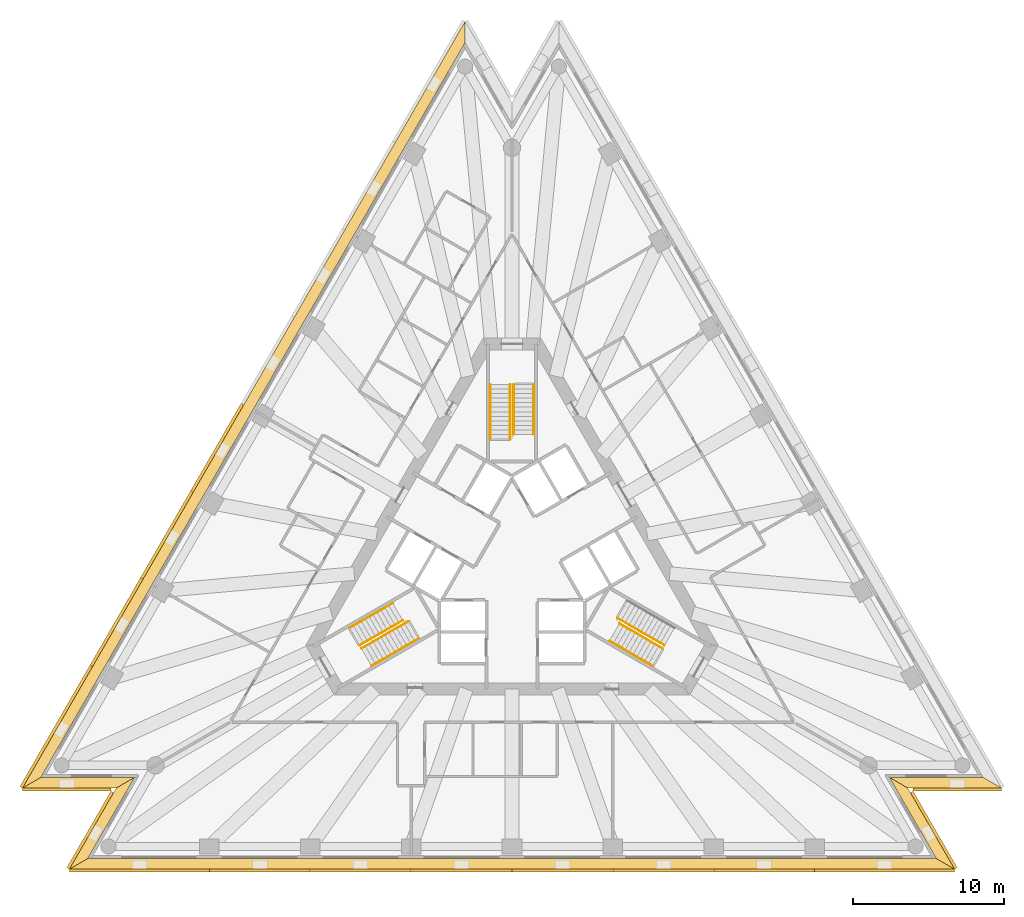
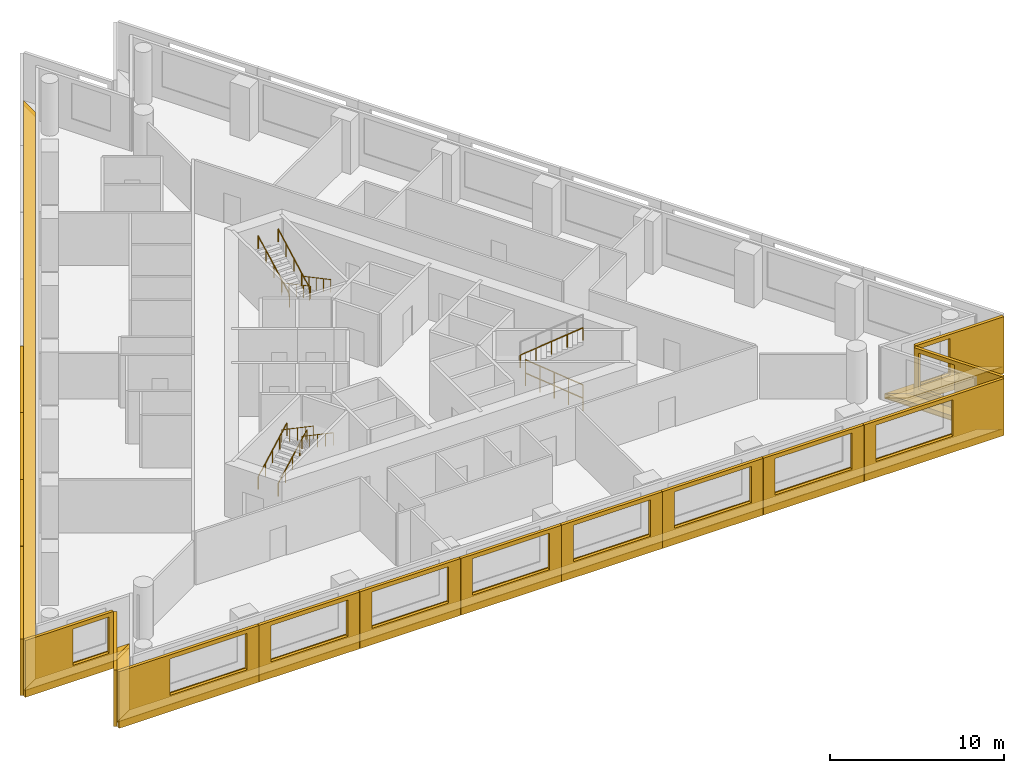
# One storey, part 8 of 9: 22 shading devices, 11 railings, 6 coverings, 3 elements without a shape of their own.
"""IFC4 building model written with IfcOpenShell, lengths in metres."""

from ifc_helpers import new_model, si_unit, direction, frame, origin, origin_2d, place, context, subcontext, project, spatial, polyline, circle, outline, extrude, material, layer, layer_set, layer_usage, type_object, element, aggregate, save


model = new_model("IFC4")

# Units and contexts
model_context = context("Model", 3, precision=1e-05, world=origin(), true_north=direction((0.0, 1.0)))
body_context = subcontext(model_context, "Body", "Model", "MODEL_VIEW")
ifc_project = project(units=[si_unit("LENGTHUNIT", "METRE"), si_unit("AREAUNIT", "SQUARE_METRE"), si_unit("VOLUMEUNIT", "CUBIC_METRE"), si_unit("PLANEANGLEUNIT", "RADIAN"), si_unit("MASSUNIT", "GRAM", prefix="KILO")], contexts=[model_context])

# Site, building, storey
site_placement = place(None, origin())
site = spatial("IfcSite", under=ifc_project, at=site_placement, CompositionType="ELEMENT")
building_placement = place(site_placement, origin())
building = spatial("IfcBuilding", under=site, at=building_placement, Name="Triada Interchange Tower", CompositionType="ELEMENT")
storey_placement = place(building_placement, frame((0.0, 0.0, 140.300048828125)))
storey = spatial("IfcBuildingStorey", under=building, at=storey_placement, Name="L32", CompositionType="ELEMENT", Elevation=140.300048828125)

# Coverings
ifc_material_1 = material(Name="Mineral fire-stop board")
ifc_layer_1 = layer(ifc_material_1, 0.0400390625, Name="Mineral fire-stop board")
ifc_material_2 = material(Name="Intumescent sealant")
ifc_layer_2 = layer(ifc_material_2, 0.010009765625, Name="Intumescent seal")
ifc_layer_set_1 = layer_set([ifc_layer_1, ifc_layer_2], Name="Cavity fire stop")
ifc_layer_usage = layer_usage(ifc_layer_set_1, "AXIS3", "POSITIVE", 0.0)
covering_type = type_object("IfcCoveringType", Name="Cavity fire stop", PredefinedType="INSULATION", material=ifc_layer_set_1)
covering_1_placement = place(storey_placement, origin())
element("IfcCovering", 1, at=covering_1_placement, inside=storey, type_object=covering_type, material=ifc_layer_usage, Name="Cavity fire stop L32 NW", PredefinedType="INSULATION", context=body_context, shape_type="SweptSolid", body=[
    extrude(outline(polyline([(-3.10791015625, 34.2939453125), (-3.10791015625, 35.694091796875), (-32.466064453125, -15.155029296875), (-31.25390625, -14.455078125), (-3.10791015625, 34.2939453125)])), origin(), (0.0, 0.0, 1.0), 0.050048828125),
])
covering_2_placement = place(storey_placement, origin())
element("IfcCovering", 2, at=covering_2_placement, inside=storey, type_object=covering_type, material=ifc_layer_usage, Name="Cavity fire stop L32 SW-1", PredefinedType="INSULATION", context=body_context, shape_type="SweptSolid", body=[
    extrude(outline(polyline([(-31.25390625, -14.455078125), (-32.466064453125, -15.155029296875), (-26.25, -15.155029296875), (-25.0380859375, -14.455078125), (-31.25390625, -14.455078125)])), origin(), (0.0, 0.0, 1.0), 0.050048828125),
])
covering_3_placement = place(storey_placement, origin())
element("IfcCovering", 3, at=covering_3_placement, inside=storey, type_object=covering_type, material=ifc_layer_usage, Name="Cavity fire stop L32 SW-2", PredefinedType="INSULATION", context=body_context, shape_type="SweptSolid", body=[
    extrude(outline(polyline([(-25.0380859375, -14.455078125), (-26.25, -15.155029296875), (-29.35791015625, -20.5390625), (-28.14599609375, -19.839111328125), (-25.0380859375, -14.455078125)])), origin(), (0.0, 0.0, 1.0), 0.050048828125),
])
covering_4_placement = place(storey_placement, origin())
element("IfcCovering", 4, at=covering_4_placement, inside=storey, type_object=covering_type, material=ifc_layer_usage, Name="Cavity fire stop L32 S", PredefinedType="INSULATION", context=body_context, shape_type="SweptSolid", body=[
    extrude(outline(polyline([(-28.14599609375, -19.839111328125), (-29.35791015625, -20.5390625), (29.35791015625, -20.5390625), (28.14599609375, -19.839111328125), (-28.14599609375, -19.839111328125)])), origin(), (0.0, 0.0, 1.0), 0.050048828125),
])
covering_5_placement = place(storey_placement, origin())
element("IfcCovering", 5, at=covering_5_placement, inside=storey, type_object=covering_type, material=ifc_layer_usage, Name="Cavity fire stop L32 SE-1", PredefinedType="INSULATION", context=body_context, shape_type="SweptSolid", body=[
    extrude(outline(polyline([(28.14599609375, -19.839111328125), (29.35791015625, -20.5390625), (26.25, -15.155029296875), (25.0380859375, -14.455078125), (28.14599609375, -19.839111328125)])), origin(), (0.0, 0.0, 1.0), 0.050048828125),
])
covering_6_placement = place(storey_placement, origin())
element("IfcCovering", 6, at=covering_6_placement, inside=storey, type_object=covering_type, material=ifc_layer_usage, Name="Cavity fire stop L32 SE-2", PredefinedType="INSULATION", context=body_context, shape_type="SweptSolid", body=[
    extrude(outline(polyline([(25.0380859375, -14.455078125), (26.25, -15.155029296875), (32.466064453125, -15.155029296875), (31.25390625, -14.455078125), (25.0380859375, -14.455078125)])), origin(), (0.0, 0.0, 1.0), 0.050048828125),
])

# Shading devices
ifc_material_3 = material(Name="Aluminium louvre", Category="aluminium")
shading_device_type_1 = type_object("IfcShadingDeviceType", Name="Cavity louvre grille", PredefinedType="JALOUSIE", material=ifc_material_3)
shading_device_1_placement = place(storey_placement, frame((0.0, 0.0, 0.050048828125)))
element("IfcShadingDevice", 7, at=shading_device_1_placement, inside=storey, type_object=shading_device_type_1, Name="Cavity louvre grille L32 NW", PredefinedType="JALOUSIE", context=body_context, shape_type="SweptSolid", body=[
    extrude(outline(polyline([(-3.10791015625, 34.2939453125), (-3.10791015625, 35.694091796875), (-32.466064453125, -15.155029296875), (-31.25390625, -14.455078125), (-3.10791015625, 34.2939453125)])), origin(), (0.0, 0.0, 1.0), 0.2998046875),
])
shading_device_2_placement = place(storey_placement, frame((0.0, 0.0, 0.050048828125)))
element("IfcShadingDevice", 8, at=shading_device_2_placement, inside=storey, type_object=shading_device_type_1, Name="Cavity louvre grille L32 SW-1", PredefinedType="JALOUSIE", context=body_context, shape_type="SweptSolid", body=[
    extrude(outline(polyline([(-31.25390625, -14.455078125), (-32.466064453125, -15.155029296875), (-26.25, -15.155029296875), (-25.0380859375, -14.455078125), (-31.25390625, -14.455078125)])), origin(), (0.0, 0.0, 1.0), 0.2998046875),
])
shading_device_3_placement = place(storey_placement, frame((0.0, 0.0, 0.050048828125)))
element("IfcShadingDevice", 9, at=shading_device_3_placement, inside=storey, type_object=shading_device_type_1, Name="Cavity louvre grille L32 SW-2", PredefinedType="JALOUSIE", context=body_context, shape_type="SweptSolid", body=[
    extrude(outline(polyline([(-25.0380859375, -14.455078125), (-26.25, -15.155029296875), (-29.35791015625, -20.5390625), (-28.14599609375, -19.839111328125), (-25.0380859375, -14.455078125)])), origin(), (0.0, 0.0, 1.0), 0.2998046875),
])
shading_device_4_placement = place(storey_placement, frame((0.0, 0.0, 0.050048828125)))
element("IfcShadingDevice", 10, at=shading_device_4_placement, inside=storey, type_object=shading_device_type_1, Name="Cavity louvre grille L32 S", PredefinedType="JALOUSIE", context=body_context, shape_type="SweptSolid", body=[
    extrude(outline(polyline([(-28.14599609375, -19.839111328125), (-29.35791015625, -20.5390625), (29.35791015625, -20.5390625), (28.14599609375, -19.839111328125), (-28.14599609375, -19.839111328125)])), origin(), (0.0, 0.0, 1.0), 0.2998046875),
])
shading_device_5_placement = place(storey_placement, frame((0.0, 0.0, 0.050048828125)))
element("IfcShadingDevice", 11, at=shading_device_5_placement, inside=storey, type_object=shading_device_type_1, Name="Cavity louvre grille L32 SE-1", PredefinedType="JALOUSIE", context=body_context, shape_type="SweptSolid", body=[
    extrude(outline(polyline([(28.14599609375, -19.839111328125), (29.35791015625, -20.5390625), (26.25, -15.155029296875), (25.0380859375, -14.455078125), (28.14599609375, -19.839111328125)])), origin(), (0.0, 0.0, 1.0), 0.2998046875),
])
shading_device_6_placement = place(storey_placement, frame((0.0, 0.0, 0.050048828125)))
element("IfcShadingDevice", 12, at=shading_device_6_placement, inside=storey, type_object=shading_device_type_1, Name="Cavity louvre grille L32 SE-2", PredefinedType="JALOUSIE", context=body_context, shape_type="SweptSolid", body=[
    extrude(outline(polyline([(25.0380859375, -14.455078125), (26.25, -15.155029296875), (32.466064453125, -15.155029296875), (31.25390625, -14.455078125), (25.0380859375, -14.455078125)])), origin(), (0.0, 0.0, 1.0), 0.2998046875),
])
ifc_material_4 = material(Name="Concrete C50/60 precast", Category="concrete")
ifc_layer_3 = layer(ifc_material_4, 0.02001953125, Name="Exposed aggregate face")
ifc_layer_4 = layer(ifc_material_4, 0.179931640625, Name="Precast concrete screen")
ifc_layer_set_2 = layer_set([ifc_layer_3, ifc_layer_4], Name="Outer skin screen panel 3980")
shading_device_type_2 = type_object("IfcShadingDeviceType", Name="Outer skin screen panel 3980", PredefinedType="SHUTTER", material=ifc_layer_set_2)
shading_device_7_placement = place(storey_placement, frame((-17.7919921875, 10.260986328125, -0.2900390625), z_axis=(0.0, 0.0, 1.0), x_axis=(-0.500028753158, -0.866008802504, 0.0)))
element("IfcShadingDevice", 13, at=shading_device_7_placement, inside=storey, type_object=shading_device_type_2, Name="Outer skin screen panel L32 05", PredefinedType="SHUTTER", context=body_context, shape_type="SweptSolid", body=[
    extrude(outline(polyline([(0.0, 0.0), (6.66943359375, 0.0), (6.66943359375, 3.97998046875), (0.0, 3.97998046875), (0.0, 0.0)]), holes=[polyline([(0.784912109375, 1.139892578125), (0.784912109375, 3.68994140625), (5.884765625, 3.68994140625), (5.884765625, 1.139892578125), (0.784912109375, 1.139892578125)])]), frame((0.0, 0.0, 0.0), z_axis=(0.0, -1.0, 0.0), x_axis=(1.0, 0.0, 0.0)), (0.0, 0.0, 1.0), 0.199951171875),
])
shading_device_8_placement = place(storey_placement, frame((-21.136962890625, 4.467041015625, -0.2900390625), z_axis=(0.0, 0.0, 1.0), x_axis=(-0.500012902398, -0.866017954453, 0.0)))
element("IfcShadingDevice", 14, at=shading_device_8_placement, inside=storey, type_object=shading_device_type_2, Name="Outer skin screen panel L32 06", PredefinedType="SHUTTER", context=body_context, shape_type="SweptSolid", body=[
    extrude(outline(polyline([(0.0, 0.0), (6.669677734375, 0.0), (6.669677734375, 3.97998046875), (0.0, 3.97998046875), (0.0, 0.0)]), holes=[polyline([(0.784912109375, 1.139892578125), (0.784912109375, 3.68994140625), (5.885009765625, 3.68994140625), (5.885009765625, 1.139892578125), (0.784912109375, 1.139892578125)])]), frame((0.0, 0.0, 0.0), z_axis=(0.0, -1.0, 0.0), x_axis=(1.0, 0.0, 0.0)), (0.0, 0.0, 1.0), 0.199951171875),
])
shading_device_9_placement = place(storey_placement, frame((-24.48193359375, -1.325927734375, -0.2900390625), z_axis=(0.0, 0.0, 1.0), x_axis=(-0.499949507731, -0.866054553547, 0.0)))
element("IfcShadingDevice", 15, at=shading_device_9_placement, inside=storey, type_object=shading_device_type_2, Name="Outer skin screen panel L32 07", PredefinedType="SHUTTER", context=body_context, shape_type="SweptSolid", body=[
    extrude(outline(polyline([(0.0, 0.0), (6.670654296875, 0.0), (6.670654296875, 3.97998046875), (0.0, 3.97998046875), (0.0, 0.0)]), holes=[polyline([(0.784912109375, 1.139892578125), (0.784912109375, 3.68994140625), (5.885009765625, 3.68994140625), (5.885009765625, 1.139892578125), (0.784912109375, 1.139892578125)])]), frame((0.0, 0.0, 0.0), z_axis=(0.0, -1.0, 0.0), x_axis=(1.0, 0.0, 0.0)), (0.0, 0.0, 1.0), 0.199951171875),
])
shading_device_10_placement = place(storey_placement, frame((-27.826904296875, -7.1201171875, -0.2900390625), z_axis=(0.0, 0.0, 1.0), x_axis=(-0.500023456952, -0.866011860483, 0.0)))
element("IfcShadingDevice", 16, at=shading_device_10_placement, inside=storey, type_object=shading_device_type_2, Name="Outer skin screen panel L32 08", PredefinedType="SHUTTER", context=body_context, shape_type="SweptSolid", body=[
    extrude(outline(polyline([(0.0, 0.0), (9.267578125, 0.0), (9.267578125, 3.97998046875), (0.0, 3.97998046875), (0.0, 0.0)]), holes=[polyline([(0.784912109375, 1.139892578125), (0.784912109375, 3.68994140625), (5.885009765625, 3.68994140625), (5.885009765625, 1.139892578125), (0.784912109375, 1.139892578125)])]), frame((0.0, 0.0, 0.0), z_axis=(0.0, -1.0, 0.0), x_axis=(1.0, 0.0, 0.0)), (0.0, 0.0, 1.0), 0.199951171875),
])
shading_device_11_placement = place(storey_placement, frame((-32.4560546875, -15.155029296875, -0.2900390625), z_axis=(0.0, 0.0, 1.0), x_axis=(1.0, 0.0, 0.0)))
element("IfcShadingDevice", 17, at=shading_device_11_placement, inside=storey, type_object=shading_device_type_2, Name="Outer skin screen panel L32 09", PredefinedType="SHUTTER", context=body_context, shape_type="SweptSolid", body=[
    extrude(outline(polyline([(0.0, 0.0), (5.84912109375, 0.0), (5.84912109375, 3.97998046875), (0.0, 3.97998046875), (0.0, 0.0)]), holes=[polyline([(3.175048828125, 1.139892578125), (3.175048828125, 3.68994140625), (5.549072265625, 3.68994140625), (5.549072265625, 1.139892578125), (3.175048828125, 1.139892578125)])]), frame((0.0, 0.0, 0.0), z_axis=(0.0, -1.0, 0.0), x_axis=(1.0, 0.0, 0.0)), (0.0, 0.0, 1.0), 0.199951171875),
])
shading_device_12_placement = place(storey_placement, frame((-26.427978515625, -15.464111328125, -0.2900390625), z_axis=(0.0, 0.0, 1.0), x_axis=(-0.500030735058, -0.866007658163, 0.0)))
element("IfcShadingDevice", 18, at=shading_device_12_placement, inside=storey, type_object=shading_device_type_2, Name="Outer skin screen panel L32 10", PredefinedType="SHUTTER", context=body_context, shape_type="SweptSolid", body=[
    extrude(outline(polyline([(0.0, 0.0), (5.849853515625, 0.0), (5.849853515625, 3.97998046875), (0.0, 3.97998046875), (0.0, 0.0)]), holes=[polyline([(0.300048828125, 1.139892578125), (0.300048828125, 3.68994140625), (2.258056640625, 3.68994140625), (2.258056640625, 1.139892578125), (0.300048828125, 1.139892578125)])]), frame((0.0, 0.0, 0.0), z_axis=(0.0, -1.0, 0.0), x_axis=(1.0, 0.0, 0.0)), (0.0, 0.0, 1.0), 0.199951171875),
])
shading_device_13_placement = place(storey_placement, frame((-29.347900390625, -20.5390625, -0.2900390625), z_axis=(0.0, 0.0, 1.0), x_axis=(1.0, 0.0, 0.0)))
element("IfcShadingDevice", 19, at=shading_device_13_placement, inside=storey, type_object=shading_device_type_2, Name="Outer skin screen panel L32 11", PredefinedType="SHUTTER", context=body_context, shape_type="SweptSolid", body=[
    extrude(outline(polyline([(0.0, 0.0), (9.267822265625, 0.0), (9.267822265625, 3.97998046875), (0.0, 3.97998046875), (0.0, 0.0)]), holes=[polyline([(3.383056640625, 1.139892578125), (3.383056640625, 3.68994140625), (8.48291015625, 3.68994140625), (8.48291015625, 1.139892578125), (3.383056640625, 1.139892578125)])]), frame((0.0, 0.0, 0.0), z_axis=(0.0, -1.0, 0.0), x_axis=(1.0, 0.0, 0.0)), (0.0, 0.0, 1.0), 0.199951171875),
])
for number, where, z_axis, x_axis, name in (
    (20, (-20.06005859375, -20.5390625, -0.2900390625), (0.0, 0.0, 1.0), (1.0, 0.0, 0.0), "Outer skin screen panel L32 12"),
    (21, (-13.3701171875, -20.5390625, -0.2900390625), (0.0, 0.0, 1.0), (1.0, 0.0, 0.0), "Outer skin screen panel L32 13"),
):
    element("IfcShadingDevice", number, at=place(storey_placement, frame(where, z_axis=z_axis, x_axis=x_axis)), inside=storey, type_object=shading_device_type_2, Name=name, PredefinedType="SHUTTER", context=body_context, shape_type="SweptSolid", body=[
        extrude(outline(polyline([(0.0, 0.0), (6.670166015625, 0.0), (6.670166015625, 3.97998046875), (0.0, 3.97998046875), (0.0, 0.0)]), holes=[polyline([(0.784912109375, 1.139892578125), (0.784912109375, 3.68994140625), (5.885009765625, 3.68994140625), (5.885009765625, 1.139892578125), (0.784912109375, 1.139892578125)])]), frame((0.0, 0.0, 0.0), z_axis=(0.0, -1.0, 0.0), x_axis=(1.0, 0.0, 0.0)), (0.0, 0.0, 1.0), 0.199951171875),
    ])
for number, where, z_axis, x_axis, name in (
    (22, (-6.679931640625, -20.5390625, -0.2900390625), (0.0, 0.0, 1.0), (1.0, 0.0, 0.0), "Outer skin screen panel L32 14"),
    (23, (0.010009765625, -20.5390625, -0.2900390625), (0.0, 0.0, 1.0), (1.0, 0.0, 0.0), "Outer skin screen panel L32 15"),
):
    element("IfcShadingDevice", number, at=place(storey_placement, frame(where, z_axis=z_axis, x_axis=x_axis)), inside=storey, type_object=shading_device_type_2, Name=name, PredefinedType="SHUTTER", context=body_context, shape_type="SweptSolid", body=[
        extrude(outline(polyline([(0.0, 0.0), (6.669921875, 0.0), (6.669921875, 3.97998046875), (0.0, 3.97998046875), (0.0, 0.0)]), holes=[polyline([(0.784912109375, 1.139892578125), (0.784912109375, 3.68994140625), (5.885009765625, 3.68994140625), (5.885009765625, 1.139892578125), (0.784912109375, 1.139892578125)])]), frame((0.0, 0.0, 0.0), z_axis=(0.0, -1.0, 0.0), x_axis=(1.0, 0.0, 0.0)), (0.0, 0.0, 1.0), 0.199951171875),
    ])
for number, where, z_axis, x_axis, name in (
    (24, (6.699951171875, -20.5390625, -0.2900390625), (0.0, 0.0, 1.0), (1.0, 0.0, 0.0), "Outer skin screen panel L32 16"),
    (25, (13.389892578125, -20.5390625, -0.2900390625), (0.0, 0.0, 1.0), (1.0, 0.0, 0.0), "Outer skin screen panel L32 17"),
):
    element("IfcShadingDevice", number, at=place(storey_placement, frame(where, z_axis=z_axis, x_axis=x_axis)), inside=storey, type_object=shading_device_type_2, Name=name, PredefinedType="SHUTTER", context=body_context, shape_type="SweptSolid", body=[
        extrude(outline(polyline([(0.0, 0.0), (6.670166015625, 0.0), (6.670166015625, 3.97998046875), (0.0, 3.97998046875), (0.0, 0.0)]), holes=[polyline([(0.784912109375, 1.139892578125), (0.784912109375, 3.68994140625), (5.885009765625, 3.68994140625), (5.885009765625, 1.139892578125), (0.784912109375, 1.139892578125)])]), frame((0.0, 0.0, 0.0), z_axis=(0.0, -1.0, 0.0), x_axis=(1.0, 0.0, 0.0)), (0.0, 0.0, 1.0), 0.199951171875),
    ])
shading_device_14_placement = place(storey_placement, frame((20.080078125, -20.5390625, -0.2900390625), z_axis=(0.0, 0.0, 1.0), x_axis=(1.0, 0.0, 0.0)))
element("IfcShadingDevice", 26, at=shading_device_14_placement, inside=storey, type_object=shading_device_type_2, Name="Outer skin screen panel L32 18", PredefinedType="SHUTTER", context=body_context, shape_type="SweptSolid", body=[
    extrude(outline(polyline([(0.0, 0.0), (9.267822265625, 0.0), (9.267822265625, 3.97998046875), (0.0, 3.97998046875), (0.0, 0.0)]), holes=[polyline([(0.784912109375, 1.139892578125), (0.784912109375, 3.68994140625), (5.885009765625, 3.68994140625), (5.885009765625, 1.139892578125), (0.784912109375, 1.139892578125)])]), frame((0.0, 0.0, 0.0), z_axis=(0.0, -1.0, 0.0), x_axis=(1.0, 0.0, 0.0)), (0.0, 0.0, 1.0), 0.199951171875),
])
shading_device_15_placement = place(storey_placement, frame((29.35302734375, -20.530029296875, -0.2900390625), z_axis=(0.0, 0.0, 1.0), x_axis=(-0.500030735058, 0.866007658163, 0.0)))
element("IfcShadingDevice", 27, at=shading_device_15_placement, inside=storey, type_object=shading_device_type_2, Name="Outer skin screen panel L32 19", PredefinedType="SHUTTER", context=body_context, shape_type="SweptSolid", body=[
    extrude(outline(polyline([(0.0, 0.0), (5.849853515625, 0.0), (5.849853515625, 3.97998046875), (0.0, 3.97998046875), (0.0, 0.0)]), holes=[polyline([(3.17529296875, 1.139892578125), (3.17529296875, 3.68994140625), (5.550048828125, 3.68994140625), (5.550048828125, 1.139892578125), (3.17529296875, 1.139892578125)])]), frame((0.0, 0.0, 0.0), z_axis=(0.0, -1.0, 0.0), x_axis=(1.0, 0.0, 0.0)), (0.0, 0.0, 1.0), 0.199951171875),
])
shading_device_16_placement = place(storey_placement, frame((26.60693359375, -15.155029296875, -0.2900390625), z_axis=(0.0, 0.0, 1.0), x_axis=(1.0, 0.0, 0.0)))
element("IfcShadingDevice", 28, at=shading_device_16_placement, inside=storey, type_object=shading_device_type_2, Name="Outer skin screen panel L32 20", PredefinedType="SHUTTER", context=body_context, shape_type="SweptSolid", body=[
    extrude(outline(polyline([(0.0, 0.0), (5.84912109375, 0.0), (5.84912109375, 3.97998046875), (0.0, 3.97998046875), (0.0, 0.0)]), holes=[polyline([(0.300048828125, 1.139892578125), (0.300048828125, 3.68994140625), (2.258056640625, 3.68994140625), (2.258056640625, 1.139892578125), (0.300048828125, 1.139892578125)])]), frame((0.0, 0.0, 0.0), z_axis=(0.0, -1.0, 0.0), x_axis=(1.0, 0.0, 0.0)), (0.0, 0.0, 1.0), 0.199951171875),
])

# Stair, railings
ifc_material_5 = material(Name="Concrete C35/45", Category="concrete")
stair_type = type_object("IfcStairType", Name="HALF TURN STAIR 1400", PredefinedType="HALF_TURN_STAIR", material=ifc_material_5)
stair_1_placement = place(storey_placement, origin())
stair_1 = element("IfcStair", 29, at=stair_1_placement, inside=storey, type_object=stair_type, Name="Exit stair S32-1", PredefinedType="HALF_TURN_STAIR")
ifc_material_6 = material(Name="Stainless steel 1.4301", Category="steel")
railing_type = type_object("IfcRailingType", Name="STAIR HANDRAIL 900", PredefinedType="HANDRAIL", material=ifc_material_6)
railing_1_placement = place(storey_placement, frame((1.449951171875, 11.60009765625, 0.159912109375)))
railing_1 = element("IfcRailing", 30, at=railing_1_placement, type_object=railing_type, Name="Handrail S32-1 1W", PredefinedType="HANDRAIL", context=body_context, shape_type="SweptSolid", body=[
    extrude(circle(Radius=0.02392578125, at=origin_2d()), frame((0.0, 0.0, 0.8759765625), z_axis=(0.0, -0.882354748157, 0.47058484719), x_axis=(1.0, 0.0, 0.0)), (0.0, 0.0, 1.0), 3.739990234375),
    extrude(circle(Radius=0.02099609375, at=origin_2d()), origin(), (0.0, 0.0, 1.0), 0.851806640625),
    extrude(circle(Radius=0.02099609375, at=origin_2d()), frame((0.0, -0.824951171875, 0.43994140625)), (0.0, 0.0, 1.0), 0.851806640625),
    extrude(circle(Radius=0.02099609375, at=origin_2d()), frame((0.0, -1.64990234375, 0.8798828125)), (0.0, 0.0, 1.0), 0.851806640625),
    extrude(circle(Radius=0.02099609375, at=origin_2d()), frame((0.0, -2.47509765625, 1.320068359375)), (0.0, 0.0, 1.0), 0.851806640625),
    extrude(circle(Radius=0.02099609375, at=origin_2d()), frame((0.0, -3.300048828125, 1.760009765625)), (0.0, 0.0, 1.0), 0.851806640625),
])
railing_2_placement = place(storey_placement, frame((0.1201171875, 11.60009765625, 0.159912109375)))
railing_2 = element("IfcRailing", 31, at=railing_2_placement, type_object=railing_type, Name="Handrail S32-1 1C", PredefinedType="HANDRAIL", context=body_context, shape_type="SweptSolid", body=[
    extrude(circle(Radius=0.02392578125, at=origin_2d()), frame((0.0, 0.0, 0.8759765625), z_axis=(0.0, -0.882354748157, 0.47058484719), x_axis=(1.0, 0.0, 0.0)), (0.0, 0.0, 1.0), 3.739990234375),
    extrude(circle(Radius=0.02099609375, at=origin_2d()), origin(), (0.0, 0.0, 1.0), 0.851806640625),
    extrude(circle(Radius=0.02099609375, at=origin_2d()), frame((0.0, -0.824951171875, 0.43994140625)), (0.0, 0.0, 1.0), 0.851806640625),
    extrude(circle(Radius=0.02099609375, at=origin_2d()), frame((0.0, -1.64990234375, 0.8798828125)), (0.0, 0.0, 1.0), 0.851806640625),
    extrude(circle(Radius=0.02099609375, at=origin_2d()), frame((0.0, -2.47509765625, 1.320068359375)), (0.0, 0.0, 1.0), 0.851806640625),
    extrude(circle(Radius=0.02099609375, at=origin_2d()), frame((0.0, -3.300048828125, 1.760009765625)), (0.0, 0.0, 1.0), 0.851806640625),
])
railing_3_placement = place(storey_placement, frame((-1.449951171875, 8.0, 2.079833984375)))
railing_3 = element("IfcRailing", 32, at=railing_3_placement, type_object=railing_type, Name="Handrail S32-1 2W", PredefinedType="HANDRAIL", context=body_context, shape_type="SweptSolid", body=[
    extrude(circle(Radius=0.02392578125, at=origin_2d()), frame((0.0, 0.0, 0.8759765625), z_axis=(0.0, 0.882341346394, 0.470609974867), x_axis=(-1.0, 0.0, 0.0)), (0.0, 0.0, 1.0), 4.080078125),
    extrude(circle(Radius=0.02099609375, at=origin_2d()), origin(), (0.0, 0.0, 1.0), 0.851806640625),
    extrude(circle(Radius=0.02099609375, at=origin_2d()), frame((0.0, 0.89990234375, 0.47998046875)), (0.0, 0.0, 1.0), 0.851806640625),
    extrude(circle(Radius=0.02099609375, at=origin_2d()), frame((0.0, 1.800048828125, 0.9599609375)), (0.0, 0.0, 1.0), 0.851806640625),
    extrude(circle(Radius=0.02099609375, at=origin_2d()), frame((0.0, 2.7001953125, 1.440185546875)), (0.0, 0.0, 1.0), 0.851806640625),
    extrude(circle(Radius=0.02099609375, at=origin_2d()), frame((0.0, 3.60009765625, 1.920166015625)), (0.0, 0.0, 1.0), 0.851806640625),
])
railing_4_placement = place(storey_placement, frame((-0.1201171875, 8.0, 2.079833984375)))
railing_4 = element("IfcRailing", 33, at=railing_4_placement, type_object=railing_type, Name="Handrail S32-1 2C", PredefinedType="HANDRAIL", context=body_context, shape_type="SweptSolid", body=[
    extrude(circle(Radius=0.02392578125, at=origin_2d()), frame((0.0, 0.0, 0.8759765625), z_axis=(0.0, 0.882341346394, 0.470609974867), x_axis=(-1.0, 0.0, 0.0)), (0.0, 0.0, 1.0), 4.080078125),
    extrude(circle(Radius=0.02099609375, at=origin_2d()), origin(), (0.0, 0.0, 1.0), 0.851806640625),
    extrude(circle(Radius=0.02099609375, at=origin_2d()), frame((0.0, 0.89990234375, 0.47998046875)), (0.0, 0.0, 1.0), 0.851806640625),
    extrude(circle(Radius=0.02099609375, at=origin_2d()), frame((0.0, 1.800048828125, 0.9599609375)), (0.0, 0.0, 1.0), 0.851806640625),
    extrude(circle(Radius=0.02099609375, at=origin_2d()), frame((0.0, 2.7001953125, 1.440185546875)), (0.0, 0.0, 1.0), 0.851806640625),
    extrude(circle(Radius=0.02099609375, at=origin_2d()), frame((0.0, 3.60009765625, 1.920166015625)), (0.0, 0.0, 1.0), 0.851806640625),
])
aggregate(stair_1, [railing_1, railing_2, railing_3, railing_4])

stair_2_placement = place(storey_placement, origin())
stair_2 = element("IfcStair", 34, at=stair_2_placement, inside=storey, type_object=stair_type, Name="Exit stair S32-2", PredefinedType="HALF_TURN_STAIR")
railing_5_placement = place(storey_placement, frame((-10.77099609375, -4.5439453125, 0.159912109375)))
railing_5 = element("IfcRailing", 35, at=railing_5_placement, type_object=railing_type, Name="Handrail S32-2 1W", PredefinedType="HANDRAIL", context=body_context, shape_type="SweptSolid", body=[
    extrude(circle(Radius=0.02392578125, at=origin_2d()), frame((0.0, 0.0, 0.8759765625), z_axis=(0.764150854273, 0.441152526326, 0.470593158077), x_axis=(-0.499974350878, 0.866040211805, 0.0)), (0.0, 0.0, 1.0), 3.739990234375),
    extrude(circle(Radius=0.02099609375, at=origin_2d()), origin(), (0.0, 0.0, 1.0), 0.851806640625),
    extrude(circle(Radius=0.02099609375, at=origin_2d()), frame((0.71435546875, 0.41259765625, 0.43994140625)), (0.0, 0.0, 1.0), 0.851806640625),
    extrude(circle(Radius=0.02099609375, at=origin_2d()), frame((1.428955078125, 0.824951171875, 0.8798828125)), (0.0, 0.0, 1.0), 0.851806640625),
    extrude(circle(Radius=0.02099609375, at=origin_2d()), frame((2.1435546875, 1.2373046875, 1.320068359375)), (0.0, 0.0, 1.0), 0.851806640625),
    extrude(circle(Radius=0.02099609375, at=origin_2d()), frame((2.85791015625, 1.64990234375, 1.760009765625)), (0.0, 0.0, 1.0), 0.851806640625),
])
railing_6_placement = place(storey_placement, frame((-10.10595703125, -5.696044921875, 0.159912109375)))
railing_6 = element("IfcRailing", 36, at=railing_6_placement, type_object=railing_type, Name="Handrail S32-2 1C", PredefinedType="HANDRAIL", context=body_context, shape_type="SweptSolid", body=[
    extrude(circle(Radius=0.02392578125, at=origin_2d()), frame((0.0, 0.0, 0.8759765625), z_axis=(0.76412884773, 0.441205098395, 0.470579605611), x_axis=(-0.50002983664, 0.866008176907, 0.0)), (0.0, 0.0, 1.0), 3.739990234375),
    extrude(circle(Radius=0.02099609375, at=origin_2d()), origin(), (0.0, 0.0, 1.0), 0.851806640625),
    extrude(circle(Radius=0.02099609375, at=origin_2d()), frame((0.71435546875, 0.41259765625, 0.43994140625)), (0.0, 0.0, 1.0), 0.851806640625),
    extrude(circle(Radius=0.02099609375, at=origin_2d()), frame((1.428955078125, 0.8251953125, 0.8798828125)), (0.0, 0.0, 1.0), 0.851806640625),
    extrude(circle(Radius=0.02099609375, at=origin_2d()), frame((2.1435546875, 1.237548828125, 1.320068359375)), (0.0, 0.0, 1.0), 0.851806640625),
    extrude(circle(Radius=0.02099609375, at=origin_2d()), frame((2.85791015625, 1.650146484375, 1.760009765625)), (0.0, 0.0, 1.0), 0.851806640625),
])
railing_7_placement = place(storey_placement, frame((-6.202880859375, -5.256103515625, 2.079833984375)))
railing_7 = element("IfcRailing", 37, at=railing_7_placement, type_object=railing_type, Name="Handrail S32-2 2W", PredefinedType="HANDRAIL", context=body_context, shape_type="SweptSolid", body=[
    extrude(circle(Radius=0.02392578125, at=origin_2d()), frame((0.0, 0.0, 0.8759765625), z_axis=(-0.764189758314, -0.441090424232, 0.470588196769), x_axis=(0.499902469156, -0.866081705922, 0.0)), (0.0, 0.0, 1.0), 4.080322265625),
    extrude(circle(Radius=0.02099609375, at=origin_2d()), origin(), (0.0, 0.0, 1.0), 0.851806640625),
    extrude(circle(Radius=0.02099609375, at=origin_2d()), frame((-0.779541015625, -0.449951171875, 0.47998046875)), (0.0, 0.0, 1.0), 0.851806640625),
    extrude(circle(Radius=0.02099609375, at=origin_2d()), frame((-1.55908203125, -0.89990234375, 0.9599609375)), (0.0, 0.0, 1.0), 0.851806640625),
    extrude(circle(Radius=0.02099609375, at=origin_2d()), frame((-2.338623046875, -1.349853515625, 1.440185546875)), (0.0, 0.0, 1.0), 0.851806640625),
    extrude(circle(Radius=0.02099609375, at=origin_2d()), frame((-3.1181640625, -1.7998046875, 1.920166015625)), (0.0, 0.0, 1.0), 0.851806640625),
])
railing_8_placement = place(storey_placement, frame((-6.867919921875, -4.10400390625, 2.079833984375)))
railing_8 = element("IfcRailing", 38, at=railing_8_placement, type_object=railing_type, Name="Handrail S32-2 2C", PredefinedType="HANDRAIL", context=body_context, shape_type="SweptSolid", body=[
    extrude(circle(Radius=0.02392578125, at=origin_2d()), frame((0.0, 0.0, 0.8759765625), z_axis=(-0.764169589359, -0.441138614339, 0.470575776723), x_axis=(0.49995333141, -0.866052346231, 0.0)), (0.0, 0.0, 1.0), 4.08056640625),
    extrude(circle(Radius=0.02099609375, at=origin_2d()), origin(), (0.0, 0.0, 1.0), 0.851806640625),
    extrude(circle(Radius=0.02099609375, at=origin_2d()), frame((-0.779541015625, -0.449951171875, 0.47998046875)), (0.0, 0.0, 1.0), 0.851806640625),
    extrude(circle(Radius=0.02099609375, at=origin_2d()), frame((-1.55908203125, -0.89990234375, 0.9599609375)), (0.0, 0.0, 1.0), 0.851806640625),
    extrude(circle(Radius=0.02099609375, at=origin_2d()), frame((-2.338623046875, -1.35009765625, 1.440185546875)), (0.0, 0.0, 1.0), 0.851806640625),
    extrude(circle(Radius=0.02099609375, at=origin_2d()), frame((-3.1181640625, -1.800048828125, 1.920166015625)), (0.0, 0.0, 1.0), 0.851806640625),
])
aggregate(stair_2, [railing_5, railing_6, railing_7, railing_8])

stair_3_placement = place(storey_placement, origin())
stair_3 = element("IfcStair", 39, at=stair_3_placement, inside=storey, type_object=stair_type, Name="Exit stair S32-3", PredefinedType="HALF_TURN_STAIR")
railing_9_placement = place(storey_placement, frame((9.321044921875, -7.055908203125, 0.159912109375)))
railing_9 = element("IfcRailing", 40, at=railing_9_placement, type_object=railing_type, Name="Handrail S32-3 1W", PredefinedType="HANDRAIL", context=body_context, shape_type="SweptSolid", body=[
    extrude(circle(Radius=0.02392578125, at=origin_2d()), frame((0.0, 0.0, 0.8759765625), z_axis=(-0.764178012919, 0.441130521168, 0.470569684388), x_axis=(-0.499942318283, -0.866058703778, 0.0)), (0.0, 0.0, 1.0), 3.740234375),
    extrude(circle(Radius=0.02099609375, at=origin_2d()), origin(), (0.0, 0.0, 1.0), 0.851806640625),
    extrude(circle(Radius=0.02099609375, at=origin_2d()), frame((-0.714599609375, 0.41259765625, 0.43994140625)), (0.0, 0.0, 1.0), 0.851806640625),
    extrude(circle(Radius=0.02099609375, at=origin_2d()), frame((-1.42919921875, 0.824951171875, 0.8798828125)), (0.0, 0.0, 1.0), 0.851806640625),
    extrude(circle(Radius=0.02099609375, at=origin_2d()), frame((-2.1435546875, 1.2373046875, 1.320068359375)), (0.0, 0.0, 1.0), 0.851806640625),
    extrude(circle(Radius=0.02099609375, at=origin_2d()), frame((-2.858154296875, 1.64990234375, 1.760009765625)), (0.0, 0.0, 1.0), 0.851806640625),
])
railing_10_placement = place(storey_placement, frame((9.986083984375, -5.904052734375, 0.159912109375)))
railing_10 = element("IfcRailing", 41, at=railing_10_placement, type_object=railing_type, Name="Handrail S32-3 1C", PredefinedType="HANDRAIL", context=body_context, shape_type="SweptSolid", body=[
    extrude(circle(Radius=0.02392578125, at=origin_2d()), frame((0.0, 0.0, 0.8759765625), z_axis=(-0.764156007789, 0.441183091881, 0.47055613395), x_axis=(-0.49999780286, -0.8660266723, 0.0)), (0.0, 0.0, 1.0), 3.740234375),
    extrude(circle(Radius=0.02099609375, at=origin_2d()), origin(), (0.0, 0.0, 1.0), 0.851806640625),
    extrude(circle(Radius=0.02099609375, at=origin_2d()), frame((-0.714599609375, 0.41259765625, 0.43994140625)), (0.0, 0.0, 1.0), 0.851806640625),
    extrude(circle(Radius=0.02099609375, at=origin_2d()), frame((-1.42919921875, 0.8251953125, 0.8798828125)), (0.0, 0.0, 1.0), 0.851806640625),
    extrude(circle(Radius=0.02099609375, at=origin_2d()), frame((-2.1435546875, 1.237548828125, 1.320068359375)), (0.0, 0.0, 1.0), 0.851806640625),
    extrude(circle(Radius=0.02099609375, at=origin_2d()), frame((-2.858154296875, 1.650146484375, 1.760009765625)), (0.0, 0.0, 1.0), 0.851806640625),
])
railing_11_placement = place(storey_placement, frame((6.988037109375, -3.89599609375, 2.079833984375)))
railing_11 = element("IfcRailing", 42, at=railing_11_placement, type_object=railing_type, Name="Handrail S32-3 2C", PredefinedType="HANDRAIL", context=body_context, shape_type="SweptSolid", body=[
    extrude(circle(Radius=0.02392578125, at=origin_2d()), frame((0.0, 0.0, 0.8759765625), z_axis=(0.76414469501, -0.441158784458, 0.470597292793), x_axis=(0.499982693035, 0.866035395735, 0.0)), (0.0, 0.0, 1.0), 4.080322265625),
    extrude(circle(Radius=0.02099609375, at=origin_2d()), origin(), (0.0, 0.0, 1.0), 0.851806640625),
    extrude(circle(Radius=0.02099609375, at=origin_2d()), frame((0.779541015625, -0.449951171875, 0.47998046875)), (0.0, 0.0, 1.0), 0.851806640625),
    extrude(circle(Radius=0.02099609375, at=origin_2d()), frame((1.55908203125, -0.89990234375, 0.9599609375)), (0.0, 0.0, 1.0), 0.851806640625),
    extrude(circle(Radius=0.02099609375, at=origin_2d()), frame((2.33837890625, -1.35009765625, 1.440185546875)), (0.0, 0.0, 1.0), 0.851806640625),
    extrude(circle(Radius=0.02099609375, at=origin_2d()), frame((3.117919921875, -1.800048828125, 1.920166015625)), (0.0, 0.0, 1.0), 0.851806640625),
])
aggregate(stair_3, [railing_9, railing_10, railing_11])

save(model, "model.ifc")
